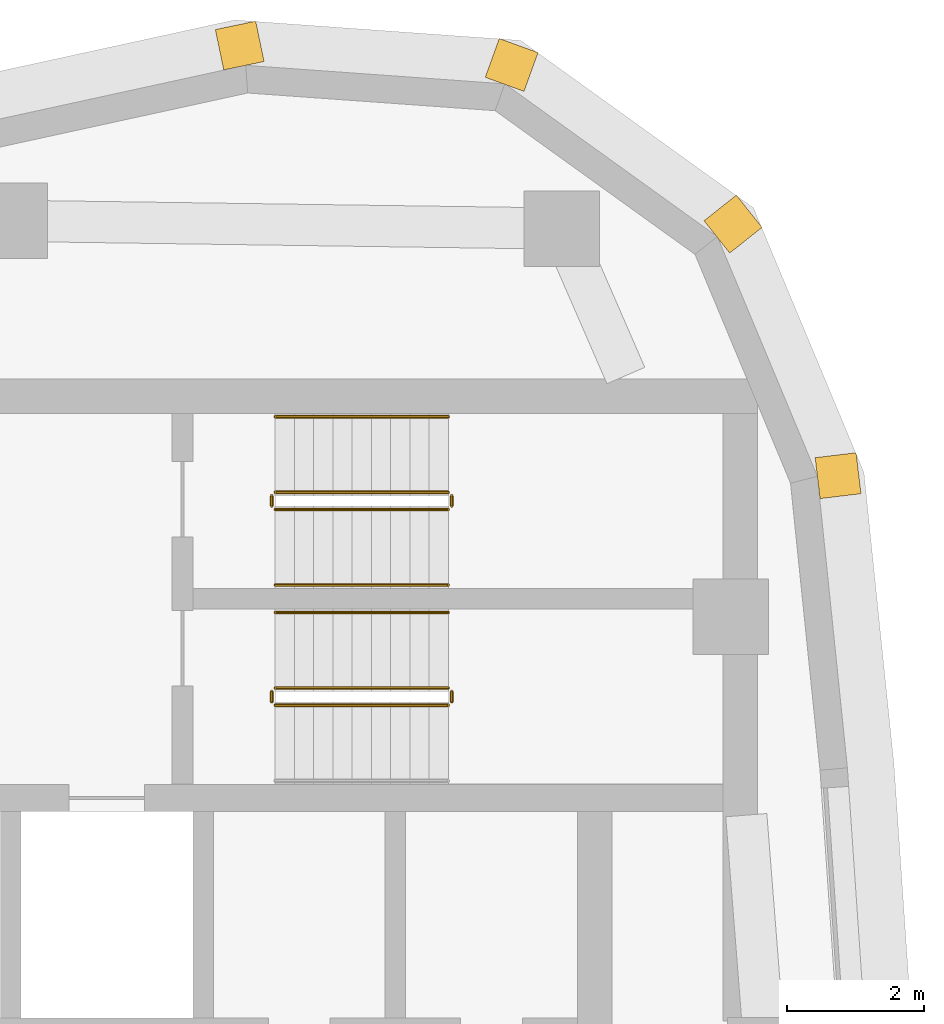
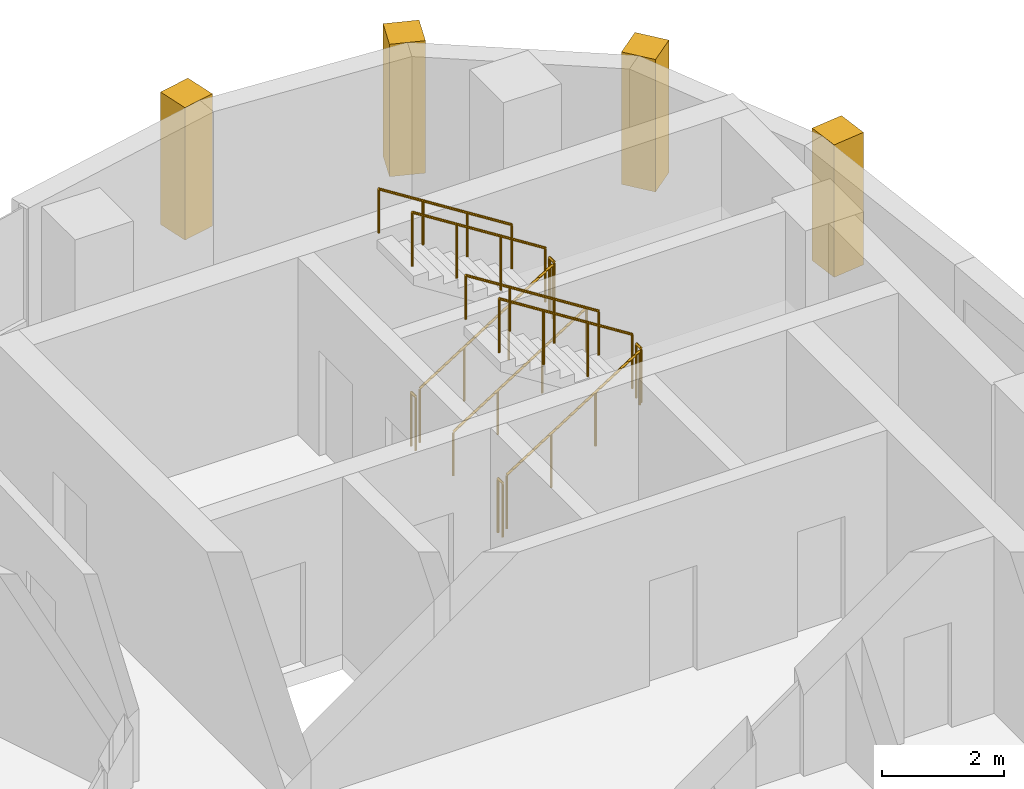
# One storey, part 14 of 14: 11 railings, 4 coverings.
"""IFC4 building model written with IfcOpenShell, lengths in metres."""

from ifc_helpers import new_model, si_unit, direction, frame, frame_2d, origin, origin_2d, place, context, subcontext, project, spatial, rectangle, circle, extrude, material, layer, layer_set, type_object, element, save


model = new_model("IFC4")

# Units and contexts
model_context = context("Model", 3, precision=1e-05, world=origin(), true_north=direction((0.0, 1.0)))
body_context = subcontext(model_context, "Body", "Model", "MODEL_VIEW")
ifc_project = project(units=[si_unit("LENGTHUNIT", "METRE"), si_unit("AREAUNIT", "SQUARE_METRE"), si_unit("VOLUMEUNIT", "CUBIC_METRE"), si_unit("PLANEANGLEUNIT", "RADIAN"), si_unit("MASSUNIT", "GRAM", prefix="KILO")], contexts=[model_context])

# Site, building, storey
site_placement = place(None, origin())
site = spatial("IfcSite", under=ifc_project, at=site_placement, CompositionType="ELEMENT")
building_placement = place(site_placement, origin())
building = spatial("IfcBuilding", under=site, at=building_placement, Name="Ostrand Prow Hotel Tower", CompositionType="ELEMENT")
storey_placement = place(building_placement, frame((0.0, 0.0, 296.300048828125)))
storey = spatial("IfcBuildingStorey", under=building, at=storey_placement, Name="L75", CompositionType="ELEMENT", Elevation=296.300048828125)

# Coverings
ifc_material_1 = material(Name="Limestone cladding", Category="masonry")
ifc_layer = layer(ifc_material_1, 0.60009765625)
ifc_layer_set = layer_set([ifc_layer], Name="Limestone cladding")
covering_type = type_object("IfcCoveringType", Name="Precast stone prow rib 600x600", PredefinedType="CLADDING", material=ifc_layer_set)
covering_1_placement = place(storey_placement, frame((65.0966796875, 14.806396484375, 0.599853515625), z_axis=(0.0, 0.0, 1.0), x_axis=(0.992867207971, 0.119225447515, 0.0)))
element("IfcCovering", 1, at=covering_1_placement, inside=storey, type_object=covering_type, Name="Stone corner rib 12a", PredefinedType="CLADDING", context=body_context, shape_type="SweptSolid", body=[
    extrude(rectangle(XDim=0.60009765625, YDim=0.60009765625, at=frame_2d((0.300048828125, 0.0))), origin(), (0.0, 0.0, 1.0), 2.650146484375),
])
for number, where, z_axis, x_axis, name in (
    (2, (63.630615234375, 18.318359375, 0.599853515625), (0.0, 0.0, 1.0), (0.782731736812, 0.622359243674, 0.0), "Stone corner rib 13a"),
    (3, (60.540283203125, 20.539794921875, 0.599853515625), (0.0, 0.0, 1.0), (0.340664419472, 0.940184956966, 0.0), "Stone corner rib 14a"),
):
    element("IfcCovering", number, at=place(storey_placement, frame(where, z_axis=z_axis, x_axis=x_axis)), inside=storey, type_object=covering_type, Name=name, PredefinedType="CLADDING", context=body_context, shape_type="SweptSolid", body=[
        extrude(rectangle(XDim=0.599853515625, YDim=0.60009765625, at=frame_2d((0.2998046875, 0.0))), origin(), (0.0, 0.0, 1.0), 2.650146484375),
    ])
covering_2_placement = place(storey_placement, frame((56.744384765625, 20.810546875, 0.599853515625), z_axis=(0.0, 0.0, 1.0), x_axis=(-0.203385687349, 0.979098698897, 0.0)))
element("IfcCovering", 4, at=covering_2_placement, inside=storey, type_object=covering_type, Name="Stone corner rib 14b", PredefinedType="CLADDING", context=body_context, shape_type="SweptSolid", body=[
    extrude(rectangle(XDim=0.60009765625, YDim=0.60009765625, at=frame_2d((0.300048828125, 0.0))), origin(), (0.0, 0.0, 1.0), 2.650146484375),
])

# Railings
ifc_material_2 = material(Name="Painted steel", Category="steel")
railing_type_1 = type_object("IfcRailingType", Name="Stair guard 1100", PredefinedType="GUARDRAIL", material=ifc_material_2)
railing_1_placement = place(storey_placement, frame((57.199951171875, 11.5, 0.177490234375)))
element("IfcRailing", 5, at=railing_1_placement, inside=storey, type_object=railing_type_1, Name="L75 ST1C stair guard 1", PredefinedType="GUARDRAIL", context=body_context, shape_type="SweptSolid", body=[
    extrude(circle(Radius=0.02392578125, at=origin_2d()), frame((0.0, 0.0, 1.076171875), z_axis=(0.84460694969, 0.0, 0.535386869969), x_axis=(0.0, 1.0, 0.0)), (0.0, 0.0, 1.0), 2.983642578125),
    extrude(circle(Radius=0.02099609375, at=origin_2d()), origin(), (0.0, 0.0, 1.0), 1.052001953125),
    extrude(circle(Radius=0.02099609375, at=origin_2d()), frame((0.840087890625, 0.0, 0.532470703125)), (0.0, 0.0, 1.0), 1.052001953125),
    extrude(circle(Radius=0.02099609375, at=origin_2d()), frame((1.679931640625, 0.0, 1.06494140625)), (0.0, 0.0, 1.0), 1.052001953125),
    extrude(circle(Radius=0.02099609375, at=origin_2d()), frame((2.52001953125, 0.0, 1.597412109375)), (0.0, 0.0, 1.0), 1.052001953125),
])
railing_2_placement = place(storey_placement, frame((59.77001953125, 11.550048828125, 1.77490234375)))
element("IfcRailing", 6, at=railing_2_placement, inside=storey, type_object=railing_type_1, Name="L75 ST1C stair guard 2", PredefinedType="GUARDRAIL", context=body_context, shape_type="SweptSolid", body=[
    extrude(circle(Radius=0.02392578125, at=origin_2d()), frame((0.0, 0.0, 1.076171875), z_axis=(0.0, 1.0, 0.0), x_axis=(-1.0, 0.0, 0.0)), (0.0, 0.0, 1.0), 0.14990234375),
    extrude(circle(Radius=0.02099609375, at=origin_2d()), origin(), (0.0, 0.0, 1.0), 1.052001953125),
    extrude(circle(Radius=0.02099609375, at=origin_2d()), frame((0.0, 0.14990234375, 0.0)), (0.0, 0.0, 1.0), 1.052001953125),
])
railing_3_placement = place(storey_placement, frame((59.719970703125, 11.75, 1.952392578125)))
element("IfcRailing", 7, at=railing_3_placement, inside=storey, type_object=railing_type_1, Name="L75 ST1C stair guard 3", PredefinedType="GUARDRAIL", context=body_context, shape_type="SweptSolid", body=[
    extrude(circle(Radius=0.02392578125, at=origin_2d()), frame((0.0, 0.0, 1.076171875), z_axis=(-0.84456994832, 0.0, 0.535445237532), x_axis=(0.0, -1.0, 0.0)), (0.0, 0.0, 1.0), 2.98388671875),
    extrude(circle(Radius=0.02099609375, at=origin_2d()), origin(), (0.0, 0.0, 1.0), 1.052001953125),
    extrude(circle(Radius=0.02099609375, at=origin_2d()), frame((-0.840087890625, 0.0, 0.532470703125)), (0.0, 0.0, 1.0), 1.052001953125),
    extrude(circle(Radius=0.02099609375, at=origin_2d()), frame((-1.679931640625, 0.0, 1.065185546875)), (0.0, 0.0, 1.0), 1.052001953125),
    extrude(circle(Radius=0.02099609375, at=origin_2d()), frame((-2.52001953125, 0.0, 1.59765625)), (0.0, 0.0, 1.0), 1.052001953125),
])
railing_4_placement = place(storey_placement, frame((57.14990234375, 11.550048828125, 0.0)))
element("IfcRailing", 8, at=railing_4_placement, inside=storey, type_object=railing_type_1, Name="L75 ST1C stair guard 4", PredefinedType="GUARDRAIL", context=body_context, shape_type="SweptSolid", body=[
    extrude(circle(Radius=0.02392578125, at=origin_2d()), frame((0.0, 0.0, 1.076171875), z_axis=(0.0, 1.0, 0.0), x_axis=(-1.0, 0.0, 0.0)), (0.0, 0.0, 1.0), 0.14990234375),
    extrude(circle(Radius=0.02099609375, at=origin_2d()), origin(), (0.0, 0.0, 1.0), 1.052001953125),
    extrude(circle(Radius=0.02099609375, at=origin_2d()), frame((0.0, 0.14990234375, 0.0)), (0.0, 0.0, 1.0), 1.052001953125),
])
railing_5_placement = place(storey_placement, frame((57.199951171875, 14.35009765625, 0.177490234375)))
element("IfcRailing", 9, at=railing_5_placement, inside=storey, type_object=railing_type_1, Name="L75 ST3C stair guard 1", PredefinedType="GUARDRAIL", context=body_context, shape_type="SweptSolid", body=[
    extrude(circle(Radius=0.02392578125, at=origin_2d()), frame((0.0, 0.0, 1.076171875), z_axis=(0.84460694969, 0.0, 0.535386869969), x_axis=(0.0, 1.0, 0.0)), (0.0, 0.0, 1.0), 2.983642578125),
    extrude(circle(Radius=0.02099609375, at=origin_2d()), origin(), (0.0, 0.0, 1.0), 1.052001953125),
    extrude(circle(Radius=0.02099609375, at=origin_2d()), frame((0.840087890625, 0.0, 0.532470703125)), (0.0, 0.0, 1.0), 1.052001953125),
    extrude(circle(Radius=0.02099609375, at=origin_2d()), frame((1.679931640625, 0.0, 1.06494140625)), (0.0, 0.0, 1.0), 1.052001953125),
    extrude(circle(Radius=0.02099609375, at=origin_2d()), frame((2.52001953125, 0.0, 1.597412109375)), (0.0, 0.0, 1.0), 1.052001953125),
])
railing_6_placement = place(storey_placement, frame((59.77001953125, 14.39990234375, 1.77490234375)))
element("IfcRailing", 10, at=railing_6_placement, inside=storey, type_object=railing_type_1, Name="L75 ST3C stair guard 2", PredefinedType="GUARDRAIL", context=body_context, shape_type="SweptSolid", body=[
    extrude(circle(Radius=0.02392578125, at=origin_2d()), frame((0.0, 0.0, 1.076171875), z_axis=(0.0, 1.0, 0.0), x_axis=(-1.0, 0.0, 0.0)), (0.0, 0.0, 1.0), 0.150146484375),
    extrude(circle(Radius=0.02099609375, at=origin_2d()), origin(), (0.0, 0.0, 1.0), 1.052001953125),
    extrude(circle(Radius=0.02099609375, at=origin_2d()), frame((0.0, 0.150146484375, 0.0)), (0.0, 0.0, 1.0), 1.052001953125),
])
railing_7_placement = place(storey_placement, frame((59.719970703125, 14.60009765625, 1.952392578125)))
element("IfcRailing", 11, at=railing_7_placement, inside=storey, type_object=railing_type_1, Name="L75 ST3C stair guard 3", PredefinedType="GUARDRAIL", context=body_context, shape_type="SweptSolid", body=[
    extrude(circle(Radius=0.02392578125, at=origin_2d()), frame((0.0, 0.0, 1.076171875), z_axis=(-0.84456994832, 0.0, 0.535445237532), x_axis=(0.0, -1.0, 0.0)), (0.0, 0.0, 1.0), 2.98388671875),
    extrude(circle(Radius=0.02099609375, at=origin_2d()), origin(), (0.0, 0.0, 1.0), 1.052001953125),
    extrude(circle(Radius=0.02099609375, at=origin_2d()), frame((-0.840087890625, 0.0, 0.532470703125)), (0.0, 0.0, 1.0), 1.052001953125),
    extrude(circle(Radius=0.02099609375, at=origin_2d()), frame((-1.679931640625, 0.0, 1.065185546875)), (0.0, 0.0, 1.0), 1.052001953125),
    extrude(circle(Radius=0.02099609375, at=origin_2d()), frame((-2.52001953125, 0.0, 1.59765625)), (0.0, 0.0, 1.0), 1.052001953125),
])
railing_8_placement = place(storey_placement, frame((57.14990234375, 14.39990234375, 0.0)))
element("IfcRailing", 12, at=railing_8_placement, inside=storey, type_object=railing_type_1, Name="L75 ST3C stair guard 4", PredefinedType="GUARDRAIL", context=body_context, shape_type="SweptSolid", body=[
    extrude(circle(Radius=0.02392578125, at=origin_2d()), frame((0.0, 0.0, 1.076171875), z_axis=(0.0, 1.0, 0.0), x_axis=(-1.0, 0.0, 0.0)), (0.0, 0.0, 1.0), 0.150146484375),
    extrude(circle(Radius=0.02099609375, at=origin_2d()), origin(), (0.0, 0.0, 1.0), 1.052001953125),
    extrude(circle(Radius=0.02099609375, at=origin_2d()), frame((0.0, 0.150146484375, 0.0)), (0.0, 0.0, 1.0), 1.052001953125),
])
ifc_material_3 = material(Name="Stainless steel", Category="steel")
railing_type_2 = type_object("IfcRailingType", Name="Stair handrail 900", PredefinedType="HANDRAIL", material=ifc_material_3)
railing_9_placement = place(storey_placement, frame((59.719970703125, 12.85009765625, 1.952392578125)))
element("IfcRailing", 13, at=railing_9_placement, inside=storey, type_object=railing_type_2, Name="L75 ST1C stair handrail 2", PredefinedType="HANDRAIL", context=body_context, shape_type="SweptSolid", body=[
    extrude(circle(Radius=0.02392578125, at=origin_2d()), frame((0.0, 0.0, 0.8759765625), z_axis=(-0.84456994832, 0.0, 0.535445237532), x_axis=(0.0, -1.0, 0.0)), (0.0, 0.0, 1.0), 2.98388671875),
    extrude(circle(Radius=0.02099609375, at=origin_2d()), origin(), (0.0, 0.0, 1.0), 0.851806640625),
    extrude(circle(Radius=0.02099609375, at=origin_2d()), frame((-0.840087890625, 0.0, 0.532470703125)), (0.0, 0.0, 1.0), 0.851806640625),
    extrude(circle(Radius=0.02099609375, at=origin_2d()), frame((-1.679931640625, 0.0, 1.065185546875)), (0.0, 0.0, 1.0), 0.851806640625),
    extrude(circle(Radius=0.02099609375, at=origin_2d()), frame((-2.52001953125, 0.0, 1.59765625)), (0.0, 0.0, 1.0), 0.851806640625),
])
railing_10_placement = place(storey_placement, frame((57.199951171875, 13.25, 0.177490234375)))
element("IfcRailing", 14, at=railing_10_placement, inside=storey, type_object=railing_type_2, Name="L75 ST3C stair handrail 1", PredefinedType="HANDRAIL", context=body_context, shape_type="SweptSolid", body=[
    extrude(circle(Radius=0.02392578125, at=origin_2d()), frame((0.0, 0.0, 0.8759765625), z_axis=(0.84460694969, 0.0, 0.535386869969), x_axis=(0.0, 1.0, 0.0)), (0.0, 0.0, 1.0), 2.983642578125),
    extrude(circle(Radius=0.02099609375, at=origin_2d()), origin(), (0.0, 0.0, 1.0), 0.851806640625),
    extrude(circle(Radius=0.02099609375, at=origin_2d()), frame((0.840087890625, 0.0, 0.532470703125)), (0.0, 0.0, 1.0), 0.851806640625),
    extrude(circle(Radius=0.02099609375, at=origin_2d()), frame((1.679931640625, 0.0, 1.06494140625)), (0.0, 0.0, 1.0), 0.851806640625),
    extrude(circle(Radius=0.02099609375, at=origin_2d()), frame((2.52001953125, 0.0, 1.597412109375)), (0.0, 0.0, 1.0), 0.851806640625),
])
railing_11_placement = place(storey_placement, frame((59.719970703125, 15.699951171875, 1.952392578125)))
element("IfcRailing", 15, at=railing_11_placement, inside=storey, type_object=railing_type_2, Name="L75 ST3C stair handrail 2", PredefinedType="HANDRAIL", context=body_context, shape_type="SweptSolid", body=[
    extrude(circle(Radius=0.02392578125, at=origin_2d()), frame((0.0, 0.0, 0.8759765625), z_axis=(-0.84456994832, 0.0, 0.535445237532), x_axis=(0.0, -1.0, 0.0)), (0.0, 0.0, 1.0), 2.98388671875),
    extrude(circle(Radius=0.02099609375, at=origin_2d()), origin(), (0.0, 0.0, 1.0), 0.851806640625),
    extrude(circle(Radius=0.02099609375, at=origin_2d()), frame((-0.840087890625, 0.0, 0.532470703125)), (0.0, 0.0, 1.0), 0.851806640625),
    extrude(circle(Radius=0.02099609375, at=origin_2d()), frame((-1.679931640625, 0.0, 1.065185546875)), (0.0, 0.0, 1.0), 0.851806640625),
    extrude(circle(Radius=0.02099609375, at=origin_2d()), frame((-2.52001953125, 0.0, 1.59765625)), (0.0, 0.0, 1.0), 0.851806640625),
])

save(model, "model.ifc")
